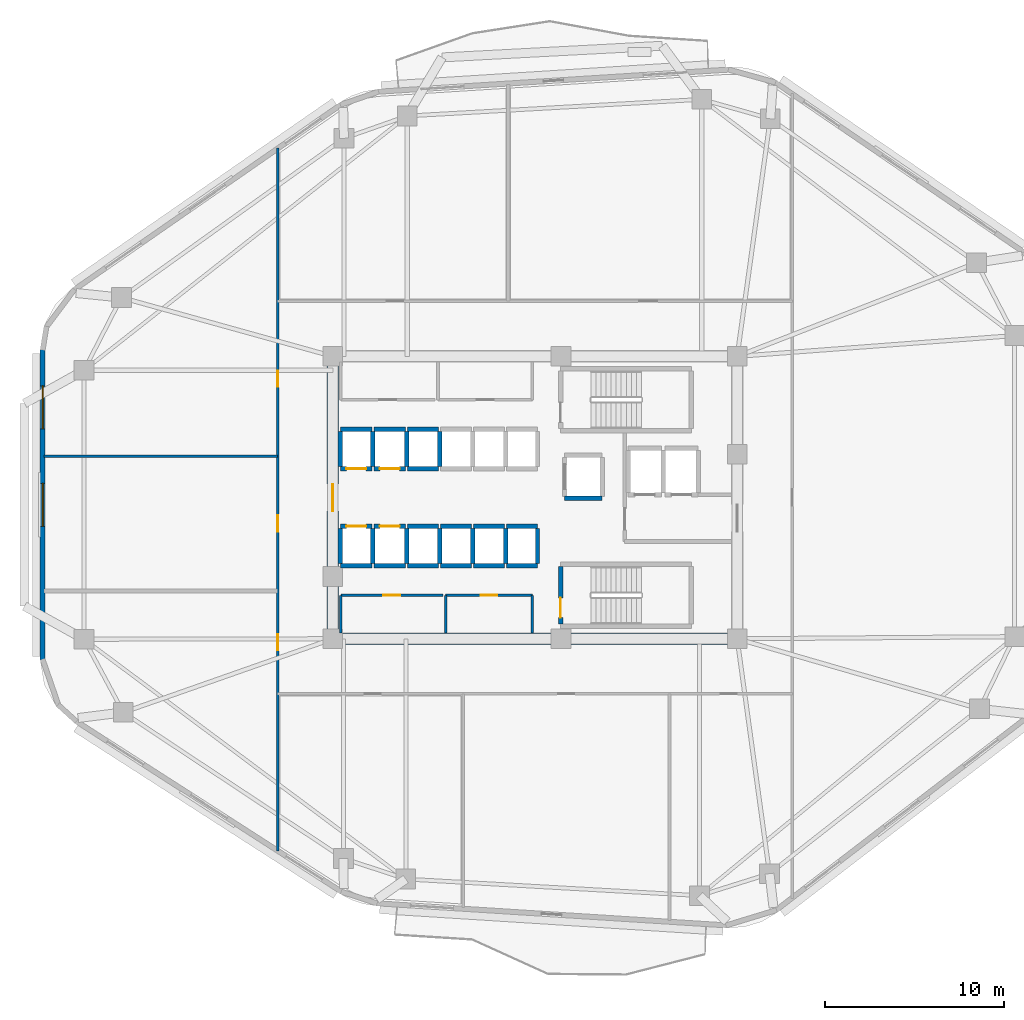
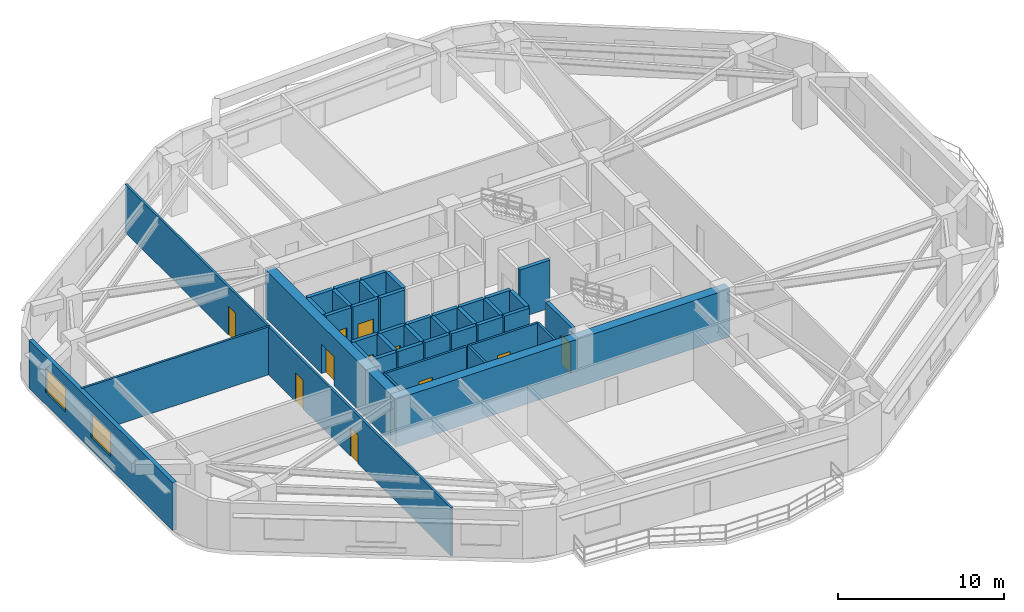
# One storey, part 3 of 8: 41 walls, 11 doors, 2 windows, 13 openings.
"""IFC4 building model written with IfcOpenShell, lengths in metres."""

from ifc_helpers import new_model, si_unit, direction, frame, frame_2d, origin, place, context, subcontext, project, spatial, rectangle, extrude, material, layer, layer_set, type_object, element, fill, save


model = new_model("IFC4")

# Units and contexts
model_context = context("Model", 3, precision=1e-05, world=origin(), true_north=direction((0.0, 1.0)))
body_context = subcontext(model_context, "Body", "Model", "MODEL_VIEW")
ifc_project = project(units=[si_unit("LENGTHUNIT", "METRE"), si_unit("AREAUNIT", "SQUARE_METRE"), si_unit("VOLUMEUNIT", "CUBIC_METRE"), si_unit("PLANEANGLEUNIT", "RADIAN"), si_unit("MASSUNIT", "GRAM", prefix="KILO")], contexts=[model_context])

# Site, building, storey
site_placement = place(None, origin())
site = spatial("IfcSite", under=ifc_project, at=site_placement, CompositionType="ELEMENT")
building_placement = place(site_placement, origin())
building = spatial("IfcBuilding", under=site, at=building_placement, Name="Zulverin Broadcast Headquarters", CompositionType="ELEMENT")
storey_placement = place(building_placement, frame((0.0, 0.0, 89.60009765625)))
storey = spatial("IfcBuildingStorey", under=building, at=storey_placement, Name="L22", CompositionType="ELEMENT", Elevation=89.60009765625)

# Wall
ifc_material_1 = material(Name="Concrete C60/75", Category="concrete")
ifc_layer_1 = layer(ifc_material_1, 0.64990234375, Name="Concrete C60/75", Category="concrete")
ifc_layer_set_1 = layer_set([ifc_layer_1], Name="Concrete C60/75")
wall_type_1 = type_object("IfcWallType", Name="WL-CORE-650", PredefinedType="SHEAR", material=ifc_layer_set_1)
wall_1_placement = place(storey_placement, frame((25.39990234375, 17.324951171875, 0.0), z_axis=(0.0, 0.0, 1.0), x_axis=(1.0, 0.0, 0.0)))
element("IfcWall", 1, at=wall_1_placement, inside=storey, type_object=wall_type_1, Name="L22 Core South Shear Wall", PredefinedType="SHEAR", context=body_context, shape_type="SweptSolid", body=[
    extrude(rectangle(XDim=23.2001953125, YDim=0.64990234375, at=frame_2d((11.60009765625, 0.0))), origin(), (0.0, 0.0, 1.0), 3.52490234375),
])

# Wall, opening, door
wall_2_placement = place(storey_placement, frame((25.72509765625, 17.64990234375, 0.0), z_axis=(0.0, 0.0, 1.0), x_axis=(0.0, 1.0, 0.0)))
wall_2 = element("IfcWall", 2, at=wall_2_placement, inside=storey, type_object=wall_type_1, Name="L22 Core West Shear Wall", PredefinedType="SHEAR", context=body_context, shape_type="SweptSolid", body=[
    extrude(rectangle(XDim=15.10009765625, YDim=0.64990234375, at=frame_2d((7.550048828125, 0.0))), origin(), (0.0, 0.0, 1.0), 3.52490234375),
])
opening_1_placement = place(wall_2_placement, frame((6.800048828125, 0.0, 0.0)))
opening_1 = element("IfcOpeningElement", 3, at=opening_1_placement, cuts=wall_2, Name="Opening D-L22-CW1", PredefinedType="OPENING", context=body_context, shape_type="SweptSolid", body=[
    extrude(rectangle(XDim=1.5, YDim=2.14990234375, at=frame_2d((0.75, 1.074951171875))), frame((0.0, 0.3349609375, 0.0), z_axis=(0.0, -1.0, 0.0), x_axis=(1.0, 0.0, 0.0)), (0.0, 0.0, 1.0), 0.669921875),
])
ifc_material_2 = material(Name="Fire-rated glazed steel frame", Category="steel")
door_type_1 = type_object("IfcDoorType", Name="DR-COR-1500", OperationType="DOUBLE_DOOR_SINGLE_SWING", PredefinedType="DOOR", material=ifc_material_2)
door_1_placement = place(opening_1_placement, origin())
door_1 = element("IfcDoor", 4, at=door_1_placement, inside=storey, type_object=door_type_1, Name="L22 Central Lift Lobby West Portal Door", OperationType="DOUBLE_DOOR_SINGLE_SWING", OverallHeight=2.14990234375, OverallWidth=1.5, PredefinedType="DOOR", context=body_context, shape_type="SweptSolid", body=[
    extrude(rectangle(XDim=1.5, YDim=2.14990234375, at=frame_2d((0.75, 1.074951171875))), frame((0.0, 0.02490234375, 0.0), z_axis=(0.0, -1.0, 0.0), x_axis=(1.0, 0.0, 0.0)), (0.0, 0.0, 1.0), 0.050048828125),
])
fill(opening_1, door_1)

# Wall, openings, windows
ifc_material_3 = material(Name="Insulated pale-metal clad concrete spandrel C40/50", Category="concrete")
ifc_layer_2 = layer(ifc_material_3, 0.280029296875, Name="Insulated pale-metal clad concrete spandrel C40/50", Category="concrete")
ifc_layer_set_2 = layer_set([ifc_layer_2], Name="Insulated pale-metal clad concrete spandrel C40/50")
wall_type_2 = type_object("IfcWallType", Name="WL-EXT-280", PredefinedType="STANDARD", material=ifc_layer_set_2)
wall_3_placement = place(storey_placement, frame((9.5400390625, 33.4443359375, 0.0), z_axis=(0.0, 0.0, 1.0), x_axis=(0.0, -1.0, 0.0)))
wall_3 = element("IfcWall", 5, at=wall_3_placement, inside=storey, type_object=wall_type_2, Name="L22 Pale-Metal Clad Spandrel Wall 7", PredefinedType="STANDARD", context=body_context, shape_type="SweptSolid", body=[
    extrude(rectangle(XDim=17.30078125, YDim=0.280029296875, at=frame_2d((8.650390625, 0.0))), origin(), (0.0, 0.0, 1.0), 3.52490234375),
])
opening_2_placement = place(wall_3_placement, frame((2.016845703125, 0.0, 0.89990234375)))
opening_2 = element("IfcOpeningElement", 6, at=opening_2_placement, cuts=wall_3, Name="Opening W-L22-E71", PredefinedType="OPENING", context=body_context, shape_type="SweptSolid", body=[
    extrude(rectangle(XDim=2.39990234375, YDim=1.75, at=frame_2d((1.199951171875, 0.875))), frame((0.0, 0.14990234375, 0.0), z_axis=(0.0, -1.0, 0.0), x_axis=(1.0, 0.0, 0.0)), (0.0, 0.0, 1.0), 0.300048828125),
])
opening_3_placement = place(wall_3_placement, frame((7.450439453125, 0.0, 0.89990234375)))
opening_3 = element("IfcOpeningElement", 7, at=opening_3_placement, cuts=wall_3, Name="Opening W-L22-E72", PredefinedType="OPENING", context=body_context, shape_type="SweptSolid", body=[
    extrude(rectangle(XDim=2.39990234375, YDim=1.75, at=frame_2d((1.199951171875, 0.875))), frame((0.0, 0.14990234375, 0.0), z_axis=(0.0, -1.0, 0.0), x_axis=(1.0, 0.0, 0.0)), (0.0, 0.0, 1.0), 0.300048828125),
])
ifc_material_4 = material(Name="Pale anodized aluminium frame with solar-control low-E double glazing", Category="aluminium")
window_type = type_object("IfcWindowType", Name="WIN-RIB-2400", PartitioningType="SINGLE_PANEL", PredefinedType="WINDOW", material=ifc_material_4)
window_1_placement = place(opening_2_placement, origin())
window_1 = element("IfcWindow", 8, at=window_1_placement, inside=storey, type_object=window_type, Name="L22 Ribbon Glazing Window 7 1", OverallHeight=1.75, OverallWidth=2.39990234375, PartitioningType="SINGLE_PANEL", PredefinedType="WINDOW", context=body_context, shape_type="SweptSolid", body=[
    extrude(rectangle(XDim=2.39990234375, YDim=1.75, at=frame_2d((1.199951171875, 0.875))), frame((0.0, 0.030029296875, 0.0), z_axis=(0.0, -1.0, 0.0), x_axis=(1.0, 0.0, 0.0)), (0.0, 0.0, 1.0), 0.06005859375),
])
fill(opening_2, window_1)
window_2_placement = place(opening_3_placement, origin())
window_2 = element("IfcWindow", 9, at=window_2_placement, inside=storey, type_object=window_type, Name="L22 Ribbon Glazing Window 7 2", OverallHeight=1.75, OverallWidth=2.39990234375, PartitioningType="SINGLE_PANEL", PredefinedType="WINDOW", context=body_context, shape_type="SweptSolid", body=[
    extrude(rectangle(XDim=2.39990234375, YDim=1.75, at=frame_2d((1.199951171875, 0.875))), frame((0.0, 0.030029296875, 0.0), z_axis=(0.0, -1.0, 0.0), x_axis=(1.0, 0.0, 0.0)), (0.0, 0.0, 1.0), 0.06005859375),
])
fill(opening_3, window_2)

# Wall, opening, door
ifc_material_5 = material(Name="Fire-rated gypsum stud partition", Category="gypsum")
ifc_layer_3 = layer(ifc_material_5, 0.14990234375, Name="Fire-rated gypsum stud partition", Category="gypsum")
ifc_layer_set_3 = layer_set([ifc_layer_3], Name="Fire-rated gypsum stud partition")
wall_type_3 = type_object("IfcWallType", Name="WL-PART-150", PredefinedType="PARTITIONING", material=ifc_layer_set_3)
wall_4_placement = place(storey_placement, frame((26.169921875, 19.75, 0.0), z_axis=(0.0, 0.0, 1.0), x_axis=(1.0, 0.0, 0.0)))
wall_4 = element("IfcWall", 10, at=wall_4_placement, inside=storey, type_object=wall_type_3, Name="L22 Core Female WC Front Wall", PredefinedType="PARTITIONING", context=body_context, shape_type="SweptSolid", body=[
    extrude(rectangle(XDim=5.690185546875, YDim=0.14990234375, at=frame_2d((2.84521484375, 0.0))), origin(), (0.0, 0.0, 1.0), 3.52490234375),
])
opening_4_placement = place(wall_4_placement, frame((2.3701171875, 0.0, 0.0)))
opening_4 = element("IfcOpeningElement", 11, at=opening_4_placement, cuts=wall_4, Name="Opening D-L22-SC1", PredefinedType="OPENING", context=body_context, shape_type="SweptSolid", body=[
    extrude(rectangle(XDim=0.949951171875, YDim=2.10009765625, at=frame_2d((0.47509765625, 1.050048828125))), frame((0.0, 0.0849609375, 0.0), z_axis=(0.0, -1.0, 0.0), x_axis=(1.0, 0.0, 0.0)), (0.0, 0.0, 1.0), 0.169921875),
])
ifc_material_6 = material(Name="Fire-rated moisture-resistant laminate leaf", Category="wood")
door_type_2 = type_object("IfcDoorType", Name="DR-WC-950", OperationType="SINGLE_SWING_LEFT", PredefinedType="DOOR", material=ifc_material_6)
door_2_placement = place(opening_4_placement, origin())
door_2 = element("IfcDoor", 12, at=door_2_placement, inside=storey, type_object=door_type_2, Name="L22 Female WC Door", OperationType="SINGLE_SWING_LEFT", OverallHeight=2.10009765625, OverallWidth=0.949951171875, PredefinedType="DOOR", context=body_context, shape_type="SweptSolid", body=[
    extrude(rectangle(XDim=0.949951171875, YDim=2.10009765625, at=frame_2d((0.47509765625, 1.050048828125))), frame((0.0, 0.02490234375, 0.0), z_axis=(0.0, -1.0, 0.0), x_axis=(1.0, 0.0, 0.0)), (0.0, 0.0, 1.0), 0.050048828125),
])
fill(opening_4, door_2)

# Wall
wall_5_placement = place(storey_placement, frame((26.169921875, 17.64990234375, 0.0), z_axis=(0.0, 0.0, 1.0), x_axis=(0.0, 1.0, 0.0)))
element("IfcWall", 13, at=wall_5_placement, inside=storey, type_object=wall_type_3, Name="L22 Core Female WC West Wall", PredefinedType="PARTITIONING", context=body_context, shape_type="SweptSolid", body=[
    extrude(rectangle(XDim=2.10009765625, YDim=0.14990234375, at=frame_2d((1.050048828125, 0.0))), origin(), (0.0, 0.0, 1.0), 3.52490234375),
])

# Wall, opening, door
wall_6_placement = place(storey_placement, frame((32.02001953125, 19.75, 0.0), z_axis=(0.0, 0.0, 1.0), x_axis=(1.0, 0.0, 0.0)))
wall_6 = element("IfcWall", 14, at=wall_6_placement, inside=storey, type_object=wall_type_3, Name="L22 Core Cleaner Store & Telecoms Riser Front Wall", PredefinedType="PARTITIONING", context=body_context, shape_type="SweptSolid", body=[
    extrude(rectangle(XDim=4.830078125, YDim=0.14990234375, at=frame_2d((2.4150390625, 0.0))), origin(), (0.0, 0.0, 1.0), 3.52490234375),
])
opening_5_placement = place(wall_6_placement, frame((1.965087890625, 0.0, 0.0)))
opening_5 = element("IfcOpeningElement", 15, at=opening_5_placement, cuts=wall_6, Name="Opening D-L22-SC2", PredefinedType="OPENING", context=body_context, shape_type="SweptSolid", body=[
    extrude(rectangle(XDim=0.89990234375, YDim=2.10009765625, at=frame_2d((0.449951171875, 1.050048828125))), frame((0.0, 0.0849609375, 0.0), z_axis=(0.0, -1.0, 0.0), x_axis=(1.0, 0.0, 0.0)), (0.0, 0.0, 1.0), 0.169921875),
])
ifc_material_7 = material(Name="Powder-coated steel access leaf", Category="steel")
door_type_3 = type_object("IfcDoorType", Name="DR-RISER-900", OperationType="SINGLE_SWING_LEFT", PredefinedType="DOOR", material=ifc_material_7)
door_3_placement = place(opening_5_placement, origin())
door_3 = element("IfcDoor", 16, at=door_3_placement, inside=storey, type_object=door_type_3, Name="L22 Cleaner Store & Telecoms Riser Door", OperationType="SINGLE_SWING_RIGHT", OverallHeight=2.10009765625, OverallWidth=0.89990234375, PredefinedType="DOOR", context=body_context, shape_type="SweptSolid", body=[
    extrude(rectangle(XDim=0.89990234375, YDim=2.10009765625, at=frame_2d((0.449951171875, 1.050048828125))), frame((0.0, 0.02490234375, 0.0), z_axis=(0.0, -1.0, 0.0), x_axis=(1.0, 0.0, 0.0)), (0.0, 0.0, 1.0), 0.050048828125),
])
fill(opening_5, door_3)

# Walls
for number, where, z_axis, x_axis, name in (
    (17, (32.02001953125, 17.64990234375, 0.0), (0.0, 0.0, 1.0), (0.0, 1.0, 0.0), "L22 Core Cleaner Store & Telecoms Riser West Wall"),
    (18, (36.85009765625, 17.64990234375, 0.0), (0.0, 0.0, 1.0), (0.0, 1.0, 0.0), "L22 Core Cleaner Store & Telecoms Riser East Wall"),
):
    element("IfcWall", number, at=place(storey_placement, frame(where, z_axis=z_axis, x_axis=x_axis)), inside=storey, type_object=wall_type_3, Name=name, PredefinedType="PARTITIONING", context=body_context, shape_type="SweptSolid", body=[
        extrude(rectangle(XDim=2.10009765625, YDim=0.14990234375, at=frame_2d((1.050048828125, 0.0))), origin(), (0.0, 0.0, 1.0), 3.52490234375),
    ])

# Wall, openings, doors
wall_7_placement = place(storey_placement, frame((22.64990234375, 5.476318359375, 0.0), z_axis=(0.0, 0.0, 1.0), x_axis=(0.0, 1.0, 0.0)))
wall_7 = element("IfcWall", 19, at=wall_7_placement, inside=storey, type_object=wall_type_3, Name="L22 Gallery Partition Wall CG-05", PredefinedType="PARTITIONING", context=body_context, shape_type="SweptSolid", body=[
    extrude(rectangle(XDim=39.220703125, YDim=0.14990234375, at=frame_2d((19.6103515625, 0.0))), origin(), (0.0, 0.0, 1.0), 3.52490234375),
])
opening_6_placement = place(wall_7_placement, frame((11.19873046875, 0.0, 0.0)))
opening_6 = element("IfcOpeningElement", 20, at=opening_6_placement, cuts=wall_7, Name="Opening D-L22-06", PredefinedType="OPENING", context=body_context, shape_type="SweptSolid", body=[
    extrude(rectangle(XDim=0.89990234375, YDim=2.10009765625, at=frame_2d((0.449951171875, 1.050048828125))), frame((0.0, 0.0849609375, 0.0), z_axis=(0.0, -1.0, 0.0), x_axis=(1.0, 0.0, 0.0)), (0.0, 0.0, 1.0), 0.169921875),
])
opening_7_placement = place(wall_7_placement, frame((17.82373046875, 0.0, 0.0)))
opening_7 = element("IfcOpeningElement", 21, at=opening_7_placement, cuts=wall_7, Name="Opening D-L22-07", PredefinedType="OPENING", context=body_context, shape_type="SweptSolid", body=[
    extrude(rectangle(XDim=0.89990234375, YDim=2.10009765625, at=frame_2d((0.449951171875, 1.050048828125))), frame((0.0, 0.0849609375, 0.0), z_axis=(0.0, -1.0, 0.0), x_axis=(1.0, 0.0, 0.0)), (0.0, 0.0, 1.0), 0.169921875),
])
opening_8_placement = place(wall_7_placement, frame((25.898681640625, 0.0, 0.0)))
opening_8 = element("IfcOpeningElement", 22, at=opening_8_placement, cuts=wall_7, Name="Opening D-L22-08", PredefinedType="OPENING", context=body_context, shape_type="SweptSolid", body=[
    extrude(rectangle(XDim=0.89990234375, YDim=2.10009765625, at=frame_2d((0.449951171875, 1.050048828125))), frame((0.0, 0.0849609375, 0.0), z_axis=(0.0, -1.0, 0.0), x_axis=(1.0, 0.0, 0.0)), (0.0, 0.0, 1.0), 0.169921875),
])
ifc_material_8 = material(Name="Fire-rated hardwood veneer timber leaf", Category="wood")
door_type_4 = type_object("IfcDoorType", Name="DR-ROOM-900", OperationType="SINGLE_SWING_RIGHT", PredefinedType="DOOR", material=ifc_material_8)
door_4_placement = place(opening_6_placement, origin())
door_4 = element("IfcDoor", 23, at=door_4_placement, inside=storey, type_object=door_type_4, Name="L22 Interview Room Door", OperationType="SINGLE_SWING_RIGHT", OverallHeight=2.10009765625, OverallWidth=0.89990234375, PredefinedType="DOOR", context=body_context, shape_type="SweptSolid", body=[
    extrude(rectangle(XDim=0.89990234375, YDim=2.10009765625, at=frame_2d((0.449951171875, 1.050048828125))), frame((0.0, 0.02490234375, 0.0), z_axis=(0.0, -1.0, 0.0), x_axis=(1.0, 0.0, 0.0)), (0.0, 0.0, 1.0), 0.050048828125),
])
fill(opening_6, door_4)
door_5_placement = place(opening_7_placement, origin())
door_5 = element("IfcDoor", 24, at=door_5_placement, inside=storey, type_object=door_type_4, Name="L22 Reference Library Door", OperationType="SINGLE_SWING_LEFT", OverallHeight=2.10009765625, OverallWidth=0.89990234375, PredefinedType="DOOR", context=body_context, shape_type="SweptSolid", body=[
    extrude(rectangle(XDim=0.89990234375, YDim=2.10009765625, at=frame_2d((0.449951171875, 1.050048828125))), frame((0.0, 0.02490234375, 0.0), z_axis=(0.0, -1.0, 0.0), x_axis=(1.0, 0.0, 0.0)), (0.0, 0.0, 1.0), 0.050048828125),
])
fill(opening_7, door_5)
door_6_placement = place(opening_8_placement, origin())
door_6 = element("IfcDoor", 25, at=door_6_placement, inside=storey, type_object=door_type_4, Name="L22 Tea Pantry Door", OperationType="SINGLE_SWING_RIGHT", OverallHeight=2.10009765625, OverallWidth=0.89990234375, PredefinedType="DOOR", context=body_context, shape_type="SweptSolid", body=[
    extrude(rectangle(XDim=0.89990234375, YDim=2.10009765625, at=frame_2d((0.449951171875, 1.050048828125))), frame((0.0, 0.02490234375, 0.0), z_axis=(0.0, -1.0, 0.0), x_axis=(1.0, 0.0, 0.0)), (0.0, 0.0, 1.0), 0.050048828125),
])
fill(opening_8, door_6)

# Wall
wall_8_placement = place(storey_placement, frame((9.60498046875, 27.5, 0.0), z_axis=(0.0, 0.0, 1.0), x_axis=(1.0, 0.0, 0.0)))
element("IfcWall", 26, at=wall_8_placement, inside=storey, type_object=wall_type_3, Name="L22 Room Partition Wall RP-08", PredefinedType="PARTITIONING", context=body_context, shape_type="SweptSolid", body=[
    extrude(rectangle(XDim=13.044921875, YDim=0.14990234375, at=frame_2d((6.5224609375, 0.0))), origin(), (0.0, 0.0, 1.0), 3.52490234375),
])

# Wall, opening, door
ifc_material_9 = material(Name="Concrete C50/60", Category="concrete")
ifc_layer_4 = layer(ifc_material_9, 0.25, Name="Concrete C50/60", Category="concrete")
ifc_layer_set_4 = layer_set([ifc_layer_4], Name="Concrete C50/60")
wall_type_4 = type_object("IfcWallType", Name="WL-SHAFT-250", PredefinedType="SHEAR", material=ifc_layer_set_4)
wall_9_placement = place(storey_placement, frame((38.425048828125, 18.14990234375, 0.0), z_axis=(0.0, 0.0, 1.0), x_axis=(0.0, 1.0, 0.0)))
wall_9 = element("IfcWall", 27, at=wall_9_placement, inside=storey, type_object=wall_type_4, Name="L22 ST-2 Enclosure Wall W", PredefinedType="SHEAR", context=body_context, shape_type="SweptSolid", body=[
    extrude(rectangle(XDim=3.2001953125, YDim=0.25, at=frame_2d((1.60009765625, 0.0))), origin(), (0.0, 0.0, 1.0), 3.52490234375),
])
opening_9_placement = place(wall_9_placement, frame((0.35009765625, 0.0, 0.0)))
opening_9 = element("IfcOpeningElement", 28, at=opening_9_placement, cuts=wall_9, Name="Opening D-L22-ST-2", PredefinedType="OPENING", context=body_context, shape_type="SweptSolid", body=[
    extrude(rectangle(XDim=1.10009765625, YDim=2.14990234375, at=frame_2d((0.550048828125, 1.074951171875))), frame((0.0, 0.135009765625, 0.0), z_axis=(0.0, -1.0, 0.0), x_axis=(1.0, 0.0, 0.0)), (0.0, 0.0, 1.0), 0.27001953125),
])
ifc_material_10 = material(Name="Fire-rated steel leaf and frame", Category="steel")
door_type_5 = type_object("IfcDoorType", Name="DR-STAIR-1100", OperationType="SINGLE_SWING_LEFT", PredefinedType="DOOR", material=ifc_material_10)
door_7_placement = place(opening_9_placement, origin())
door_7 = element("IfcDoor", 29, at=door_7_placement, inside=storey, type_object=door_type_5, Name="L22 Exit Stair ST-2 Fire Door", OperationType="SINGLE_SWING_RIGHT", OverallHeight=2.14990234375, OverallWidth=1.10009765625, PredefinedType="DOOR", context=body_context, shape_type="SweptSolid", body=[
    extrude(rectangle(XDim=1.10009765625, YDim=2.14990234375, at=frame_2d((0.550048828125, 1.074951171875))), frame((0.0, 0.02490234375, 0.0), z_axis=(0.0, -1.0, 0.0), x_axis=(1.0, 0.0, 0.0)), (0.0, 0.0, 1.0), 0.050048828125),
])
fill(opening_9, door_7)

wall_10_placement = place(storey_placement, frame((26.14990234375, 26.800048828125, 0.0), z_axis=(0.0, 0.0, 1.0), x_axis=(1.0, 0.0, 0.0)))
wall_10 = element("IfcWall", 30, at=wall_10_placement, inside=storey, type_object=wall_type_4, Name="L22 Lift PL-L1 Shaft Wall S", PredefinedType="SHEAR", context=body_context, shape_type="SweptSolid", body=[
    extrude(rectangle(XDim=1.75, YDim=0.25, at=frame_2d((0.875, 0.0))), origin(), (0.0, 0.0, 1.0), 3.52490234375),
])
opening_10_placement = place(wall_10_placement, frame((0.324951171875, 0.0, 0.0)))
opening_10 = element("IfcOpeningElement", 31, at=opening_10_placement, cuts=wall_10, Name="Opening LD-PL-L1-L22", PredefinedType="OPENING", context=body_context, shape_type="SweptSolid", body=[
    extrude(rectangle(XDim=1.10009765625, YDim=2.14990234375, at=frame_2d((0.550048828125, 1.074951171875))), frame((0.0, 0.135009765625, 0.0), z_axis=(0.0, -1.0, 0.0), x_axis=(1.0, 0.0, 0.0)), (0.0, 0.0, 1.0), 0.27001953125),
])
ifc_material_11 = material(Name="Brushed stainless steel landing", Category="steel")
door_type_6 = type_object("IfcDoorType", Name="LD-PASS-1100", OperationType="DOUBLE_DOOR_SLIDING", PredefinedType="DOOR", material=ifc_material_11)
door_8_placement = place(opening_10_placement, origin())
door_8 = element("IfcDoor", 32, at=door_8_placement, inside=storey, type_object=door_type_6, Name="L22 Lift PL-L1 Sliding Landing Door", OperationType="DOUBLE_DOOR_SLIDING", OverallHeight=2.14990234375, OverallWidth=1.10009765625, PredefinedType="DOOR", context=body_context, shape_type="SweptSolid", body=[
    extrude(rectangle(XDim=1.10009765625, YDim=2.14990234375, at=frame_2d((0.550048828125, 1.074951171875))), frame((0.0, 0.02490234375, 0.0), z_axis=(0.0, -1.0, 0.0), x_axis=(1.0, 0.0, 0.0)), (0.0, 0.0, 1.0), 0.050048828125),
])
fill(opening_10, door_8)

# Walls
wall_11_placement = place(storey_placement, frame((26.14990234375, 29.0, 0.0), z_axis=(0.0, 0.0, 1.0), x_axis=(1.0, 0.0, 0.0)))
element("IfcWall", 33, at=wall_11_placement, inside=storey, type_object=wall_type_4, Name="L22 Lift PL-L1 Shaft Wall N", PredefinedType="SHEAR", context=body_context, shape_type="SweptSolid", body=[
    extrude(rectangle(XDim=1.75, YDim=0.25, at=frame_2d((0.875, 0.0))), origin(), (0.0, 0.0, 1.0), 3.52490234375),
])
for number, where, z_axis, x_axis, name in (
    (34, (26.14990234375, 26.919921875, 0.0), (0.0, 0.0, 1.0), (0.0, 1.0, 0.0), "L22 Lift PL-L1 Shaft Wall W"),
    (35, (27.9599609375, 26.919921875, 0.0), (0.0, 0.0, 1.0), (0.0, 1.0, 0.0), "L22 Lift PL-L1 Shaft Wall E"),
):
    element("IfcWall", number, at=place(storey_placement, frame(where, z_axis=z_axis, x_axis=x_axis)), inside=storey, type_object=wall_type_4, Name=name, PredefinedType="SHEAR", context=body_context, shape_type="SweptSolid", body=[
        extrude(rectangle(XDim=1.9599609375, YDim=0.25, at=frame_2d((0.97998046875, 0.0))), origin(), (0.0, 0.0, 1.0), 3.52490234375),
    ])

# Wall, opening, door
wall_12_placement = place(storey_placement, frame((28.02001953125, 26.800048828125, 0.0), z_axis=(0.0, 0.0, 1.0), x_axis=(1.0, 0.0, 0.0)))
wall_12 = element("IfcWall", 36, at=wall_12_placement, inside=storey, type_object=wall_type_4, Name="L22 Lift PL-L2 Shaft Wall S", PredefinedType="SHEAR", context=body_context, shape_type="SweptSolid", body=[
    extrude(rectangle(XDim=1.75, YDim=0.25, at=frame_2d((0.875, 0.0))), origin(), (0.0, 0.0, 1.0), 3.52490234375),
])
opening_11_placement = place(wall_12_placement, frame((0.324951171875, 0.0, 0.0)))
opening_11 = element("IfcOpeningElement", 37, at=opening_11_placement, cuts=wall_12, Name="Opening LD-PL-L2-L22", PredefinedType="OPENING", context=body_context, shape_type="SweptSolid", body=[
    extrude(rectangle(XDim=1.10009765625, YDim=2.14990234375, at=frame_2d((0.550048828125, 1.074951171875))), frame((0.0, 0.135009765625, 0.0), z_axis=(0.0, -1.0, 0.0), x_axis=(1.0, 0.0, 0.0)), (0.0, 0.0, 1.0), 0.27001953125),
])
door_9_placement = place(opening_11_placement, origin())
door_9 = element("IfcDoor", 38, at=door_9_placement, inside=storey, type_object=door_type_6, Name="L22 Lift PL-L2 Sliding Landing Door", OperationType="DOUBLE_DOOR_SLIDING", OverallHeight=2.14990234375, OverallWidth=1.10009765625, PredefinedType="DOOR", context=body_context, shape_type="SweptSolid", body=[
    extrude(rectangle(XDim=1.10009765625, YDim=2.14990234375, at=frame_2d((0.550048828125, 1.074951171875))), frame((0.0, 0.02490234375, 0.0), z_axis=(0.0, -1.0, 0.0), x_axis=(1.0, 0.0, 0.0)), (0.0, 0.0, 1.0), 0.050048828125),
])
fill(opening_11, door_9)

# Walls
wall_13_placement = place(storey_placement, frame((28.02001953125, 29.0, 0.0), z_axis=(0.0, 0.0, 1.0), x_axis=(1.0, 0.0, 0.0)))
element("IfcWall", 39, at=wall_13_placement, inside=storey, type_object=wall_type_4, Name="L22 Lift PL-L2 Shaft Wall N", PredefinedType="SHEAR", context=body_context, shape_type="SweptSolid", body=[
    extrude(rectangle(XDim=1.75, YDim=0.25, at=frame_2d((0.875, 0.0))), origin(), (0.0, 0.0, 1.0), 3.52490234375),
])
wall_14_placement = place(storey_placement, frame((29.8349609375, 26.919921875, 0.0), z_axis=(0.0, 0.0, 1.0), x_axis=(0.0, 1.0, 0.0)))
element("IfcWall", 40, at=wall_14_placement, inside=storey, type_object=wall_type_4, Name="L22 Lift PL-L2 Shaft Wall E", PredefinedType="SHEAR", context=body_context, shape_type="SweptSolid", body=[
    extrude(rectangle(XDim=1.9599609375, YDim=0.25, at=frame_2d((0.97998046875, 0.0))), origin(), (0.0, 0.0, 1.0), 3.52490234375),
])
wall_15_placement = place(storey_placement, frame((26.14990234375, 21.39990234375, 0.0), z_axis=(0.0, 0.0, 1.0), x_axis=(1.0, 0.0, 0.0)))
element("IfcWall", 41, at=wall_15_placement, inside=storey, type_object=wall_type_4, Name="L22 Lift PL-L3 Shaft Wall S", PredefinedType="SHEAR", context=body_context, shape_type="SweptSolid", body=[
    extrude(rectangle(XDim=1.75, YDim=0.25, at=frame_2d((0.875, 0.0))), origin(), (0.0, 0.0, 1.0), 3.52490234375),
])

# Wall, opening, door
wall_16_placement = place(storey_placement, frame((26.14990234375, 23.60009765625, 0.0), z_axis=(0.0, 0.0, 1.0), x_axis=(1.0, 0.0, 0.0)))
wall_16 = element("IfcWall", 42, at=wall_16_placement, inside=storey, type_object=wall_type_4, Name="L22 Lift PL-L3 Shaft Wall N", PredefinedType="SHEAR", context=body_context, shape_type="SweptSolid", body=[
    extrude(rectangle(XDim=1.75, YDim=0.25, at=frame_2d((0.875, 0.0))), origin(), (0.0, 0.0, 1.0), 3.52490234375),
])
opening_12_placement = place(wall_16_placement, frame((0.324951171875, 0.0, 0.0)))
opening_12 = element("IfcOpeningElement", 43, at=opening_12_placement, cuts=wall_16, Name="Opening LD-PL-L3-L22", PredefinedType="OPENING", context=body_context, shape_type="SweptSolid", body=[
    extrude(rectangle(XDim=1.10009765625, YDim=2.14990234375, at=frame_2d((0.550048828125, 1.074951171875))), frame((0.0, 0.135009765625, 0.0), z_axis=(0.0, -1.0, 0.0), x_axis=(1.0, 0.0, 0.0)), (0.0, 0.0, 1.0), 0.27001953125),
])
door_10_placement = place(opening_12_placement, origin())
door_10 = element("IfcDoor", 44, at=door_10_placement, inside=storey, type_object=door_type_6, Name="L22 Lift PL-L3 Sliding Landing Door", OperationType="DOUBLE_DOOR_SLIDING", OverallHeight=2.14990234375, OverallWidth=1.10009765625, PredefinedType="DOOR", context=body_context, shape_type="SweptSolid", body=[
    extrude(rectangle(XDim=1.10009765625, YDim=2.14990234375, at=frame_2d((0.550048828125, 1.074951171875))), frame((0.0, 0.02490234375, 0.0), z_axis=(0.0, -1.0, 0.0), x_axis=(1.0, 0.0, 0.0)), (0.0, 0.0, 1.0), 0.050048828125),
])
fill(opening_12, door_10)

# Walls
for number, where, z_axis, x_axis, name in (
    (45, (26.14990234375, 21.52001953125, 0.0), (0.0, 0.0, 1.0), (0.0, 1.0, 0.0), "L22 Lift PL-L3 Shaft Wall W"),
    (46, (27.9599609375, 21.52001953125, 0.0), (0.0, 0.0, 1.0), (0.0, 1.0, 0.0), "L22 Lift PL-L3 Shaft Wall E"),
):
    element("IfcWall", number, at=place(storey_placement, frame(where, z_axis=z_axis, x_axis=x_axis)), inside=storey, type_object=wall_type_4, Name=name, PredefinedType="SHEAR", context=body_context, shape_type="SweptSolid", body=[
        extrude(rectangle(XDim=1.9599609375, YDim=0.25, at=frame_2d((0.97998046875, 0.0))), origin(), (0.0, 0.0, 1.0), 3.52490234375),
    ])
wall_17_placement = place(storey_placement, frame((28.02001953125, 21.39990234375, 0.0), z_axis=(0.0, 0.0, 1.0), x_axis=(1.0, 0.0, 0.0)))
element("IfcWall", 47, at=wall_17_placement, inside=storey, type_object=wall_type_4, Name="L22 Lift PL-L4 Shaft Wall S", PredefinedType="SHEAR", context=body_context, shape_type="SweptSolid", body=[
    extrude(rectangle(XDim=1.75, YDim=0.25, at=frame_2d((0.875, 0.0))), origin(), (0.0, 0.0, 1.0), 3.52490234375),
])

# Wall, opening, door
wall_18_placement = place(storey_placement, frame((28.02001953125, 23.60009765625, 0.0), z_axis=(0.0, 0.0, 1.0), x_axis=(1.0, 0.0, 0.0)))
wall_18 = element("IfcWall", 48, at=wall_18_placement, inside=storey, type_object=wall_type_4, Name="L22 Lift PL-L4 Shaft Wall N", PredefinedType="SHEAR", context=body_context, shape_type="SweptSolid", body=[
    extrude(rectangle(XDim=1.75, YDim=0.25, at=frame_2d((0.875, 0.0))), origin(), (0.0, 0.0, 1.0), 3.52490234375),
])
opening_13_placement = place(wall_18_placement, frame((0.324951171875, 0.0, 0.0)))
opening_13 = element("IfcOpeningElement", 49, at=opening_13_placement, cuts=wall_18, Name="Opening LD-PL-L4-L22", PredefinedType="OPENING", context=body_context, shape_type="SweptSolid", body=[
    extrude(rectangle(XDim=1.10009765625, YDim=2.14990234375, at=frame_2d((0.550048828125, 1.074951171875))), frame((0.0, 0.135009765625, 0.0), z_axis=(0.0, -1.0, 0.0), x_axis=(1.0, 0.0, 0.0)), (0.0, 0.0, 1.0), 0.27001953125),
])
door_11_placement = place(opening_13_placement, origin())
door_11 = element("IfcDoor", 50, at=door_11_placement, inside=storey, type_object=door_type_6, Name="L22 Lift PL-L4 Sliding Landing Door", OperationType="DOUBLE_DOOR_SLIDING", OverallHeight=2.14990234375, OverallWidth=1.10009765625, PredefinedType="DOOR", context=body_context, shape_type="SweptSolid", body=[
    extrude(rectangle(XDim=1.10009765625, YDim=2.14990234375, at=frame_2d((0.550048828125, 1.074951171875))), frame((0.0, 0.02490234375, 0.0), z_axis=(0.0, -1.0, 0.0), x_axis=(1.0, 0.0, 0.0)), (0.0, 0.0, 1.0), 0.050048828125),
])
fill(opening_13, door_11)

# Walls
wall_19_placement = place(storey_placement, frame((29.8349609375, 21.52001953125, 0.0), z_axis=(0.0, 0.0, 1.0), x_axis=(0.0, 1.0, 0.0)))
element("IfcWall", 51, at=wall_19_placement, inside=storey, type_object=wall_type_4, Name="L22 Lift PL-L4 Shaft Wall E", PredefinedType="SHEAR", context=body_context, shape_type="SweptSolid", body=[
    extrude(rectangle(XDim=1.9599609375, YDim=0.25, at=frame_2d((0.97998046875, 0.0))), origin(), (0.0, 0.0, 1.0), 3.52490234375),
])
for number, where, z_axis, x_axis, name in (
    (52, (29.89990234375, 21.39990234375, 0.0), (0.0, 0.0, 1.0), (1.0, 0.0, 0.0), "L22 Lift PL-M1 Shaft Wall S"),
    (53, (29.89990234375, 23.60009765625, 0.0), (0.0, 0.0, 1.0), (1.0, 0.0, 0.0), "L22 Lift PL-M1 Shaft Wall N"),
):
    element("IfcWall", number, at=place(storey_placement, frame(where, z_axis=z_axis, x_axis=x_axis)), inside=storey, type_object=wall_type_4, Name=name, PredefinedType="SHEAR", context=body_context, shape_type="SweptSolid", body=[
        extrude(rectangle(XDim=1.72021484375, YDim=0.25, at=frame_2d((0.860107421875, 0.0))), origin(), (0.0, 0.0, 1.0), 3.52490234375),
    ])
wall_20_placement = place(storey_placement, frame((31.679931640625, 21.52001953125, 0.0), z_axis=(0.0, 0.0, 1.0), x_axis=(0.0, 1.0, 0.0)))
element("IfcWall", 54, at=wall_20_placement, inside=storey, type_object=wall_type_4, Name="L22 Lift PL-M1 Shaft Wall E", PredefinedType="SHEAR", context=body_context, shape_type="SweptSolid", body=[
    extrude(rectangle(XDim=1.9599609375, YDim=0.25, at=frame_2d((0.97998046875, 0.0))), origin(), (0.0, 0.0, 1.0), 3.52490234375),
])
for number, where, z_axis, x_axis, name in (
    (55, (31.739990234375, 21.39990234375, 0.0), (0.0, 0.0, 1.0), (1.0, 0.0, 0.0), "L22 Lift PL-M2 Shaft Wall S"),
    (56, (31.739990234375, 23.60009765625, 0.0), (0.0, 0.0, 1.0), (1.0, 0.0, 0.0), "L22 Lift PL-M2 Shaft Wall N"),
):
    element("IfcWall", number, at=place(storey_placement, frame(where, z_axis=z_axis, x_axis=x_axis)), inside=storey, type_object=wall_type_4, Name=name, PredefinedType="SHEAR", context=body_context, shape_type="SweptSolid", body=[
        extrude(rectangle(XDim=1.719970703125, YDim=0.25, at=frame_2d((0.85986328125, 0.0))), origin(), (0.0, 0.0, 1.0), 3.52490234375),
    ])
wall_21_placement = place(storey_placement, frame((33.52001953125, 21.52001953125, 0.0), z_axis=(0.0, 0.0, 1.0), x_axis=(0.0, 1.0, 0.0)))
element("IfcWall", 57, at=wall_21_placement, inside=storey, type_object=wall_type_4, Name="L22 Lift PL-M2 Shaft Wall E", PredefinedType="SHEAR", context=body_context, shape_type="SweptSolid", body=[
    extrude(rectangle(XDim=1.9599609375, YDim=0.25, at=frame_2d((0.97998046875, 0.0))), origin(), (0.0, 0.0, 1.0), 3.52490234375),
])
for number, where, z_axis, x_axis, name in (
    (58, (33.580078125, 21.39990234375, 0.0), (0.0, 0.0, 1.0), (1.0, 0.0, 0.0), "L22 Lift PL-M3 Shaft Wall S"),
    (59, (33.580078125, 23.60009765625, 0.0), (0.0, 0.0, 1.0), (1.0, 0.0, 0.0), "L22 Lift PL-M3 Shaft Wall N"),
):
    element("IfcWall", number, at=place(storey_placement, frame(where, z_axis=z_axis, x_axis=x_axis)), inside=storey, type_object=wall_type_4, Name=name, PredefinedType="SHEAR", context=body_context, shape_type="SweptSolid", body=[
        extrude(rectangle(XDim=1.719970703125, YDim=0.25, at=frame_2d((0.85986328125, 0.0))), origin(), (0.0, 0.0, 1.0), 3.52490234375),
    ])
wall_22_placement = place(storey_placement, frame((35.360107421875, 21.52001953125, 0.0), z_axis=(0.0, 0.0, 1.0), x_axis=(0.0, 1.0, 0.0)))
element("IfcWall", 60, at=wall_22_placement, inside=storey, type_object=wall_type_4, Name="L22 Lift PL-M3 Shaft Wall E", PredefinedType="SHEAR", context=body_context, shape_type="SweptSolid", body=[
    extrude(rectangle(XDim=1.9599609375, YDim=0.25, at=frame_2d((0.97998046875, 0.0))), origin(), (0.0, 0.0, 1.0), 3.52490234375),
])
for number, where, z_axis, x_axis, name in (
    (61, (35.419921875, 21.39990234375, 0.0), (0.0, 0.0, 1.0), (1.0, 0.0, 0.0), "L22 Lift PL-M4 Shaft Wall S"),
    (62, (35.419921875, 23.60009765625, 0.0), (0.0, 0.0, 1.0), (1.0, 0.0, 0.0), "L22 Lift PL-M4 Shaft Wall N"),
):
    element("IfcWall", number, at=place(storey_placement, frame(where, z_axis=z_axis, x_axis=x_axis)), inside=storey, type_object=wall_type_4, Name=name, PredefinedType="SHEAR", context=body_context, shape_type="SweptSolid", body=[
        extrude(rectangle(XDim=1.719970703125, YDim=0.25, at=frame_2d((0.85986328125, 0.0))), origin(), (0.0, 0.0, 1.0), 3.52490234375),
    ])
wall_23_placement = place(storey_placement, frame((37.139892578125, 21.52001953125, 0.0), z_axis=(0.0, 0.0, 1.0), x_axis=(0.0, 1.0, 0.0)))
element("IfcWall", 63, at=wall_23_placement, inside=storey, type_object=wall_type_4, Name="L22 Lift PL-M4 Shaft Wall E", PredefinedType="SHEAR", context=body_context, shape_type="SweptSolid", body=[
    extrude(rectangle(XDim=1.9599609375, YDim=0.25, at=frame_2d((0.97998046875, 0.0))), origin(), (0.0, 0.0, 1.0), 3.52490234375),
])
for number, where, z_axis, x_axis, name in (
    (64, (29.89990234375, 26.800048828125, 0.0), (0.0, 0.0, 1.0), (1.0, 0.0, 0.0), "L22 Lift PL-H1 Shaft Wall S"),
    (65, (29.89990234375, 29.0, 0.0), (0.0, 0.0, 1.0), (1.0, 0.0, 0.0), "L22 Lift PL-H1 Shaft Wall N"),
):
    element("IfcWall", number, at=place(storey_placement, frame(where, z_axis=z_axis, x_axis=x_axis)), inside=storey, type_object=wall_type_4, Name=name, PredefinedType="SHEAR", context=body_context, shape_type="SweptSolid", body=[
        extrude(rectangle(XDim=1.72021484375, YDim=0.25, at=frame_2d((0.860107421875, 0.0))), origin(), (0.0, 0.0, 1.0), 3.52490234375),
    ])
wall_24_placement = place(storey_placement, frame((31.679931640625, 26.919921875, 0.0), z_axis=(0.0, 0.0, 1.0), x_axis=(0.0, 1.0, 0.0)))
element("IfcWall", 66, at=wall_24_placement, inside=storey, type_object=wall_type_4, Name="L22 Lift PL-H1 Shaft Wall E", PredefinedType="SHEAR", context=body_context, shape_type="SweptSolid", body=[
    extrude(rectangle(XDim=1.9599609375, YDim=0.25, at=frame_2d((0.97998046875, 0.0))), origin(), (0.0, 0.0, 1.0), 3.52490234375),
])
wall_25_placement = place(storey_placement, frame((38.64990234375, 25.14990234375, 0.0), z_axis=(0.0, 0.0, 1.0), x_axis=(1.0, 0.0, 0.0)))
element("IfcWall", 67, at=wall_25_placement, inside=storey, type_object=wall_type_4, Name="L22 Lift SVL-1 Shaft Wall S", PredefinedType="SHEAR", context=body_context, shape_type="SweptSolid", body=[
    extrude(rectangle(XDim=2.10009765625, YDim=0.25, at=frame_2d((1.050048828125, 0.0))), origin(), (0.0, 0.0, 1.0), 3.52490234375),
])

save(model, "model.ifc")
